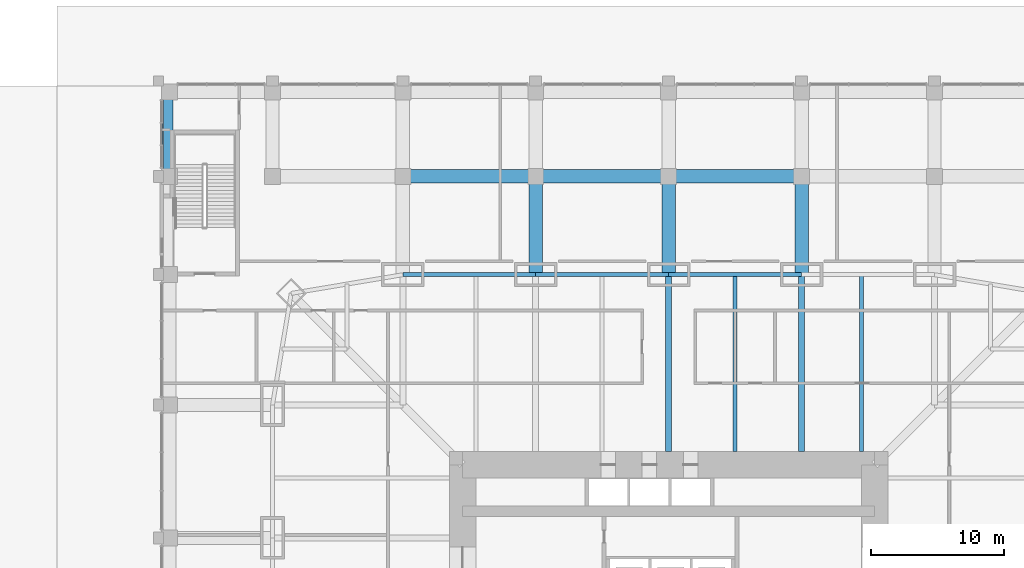
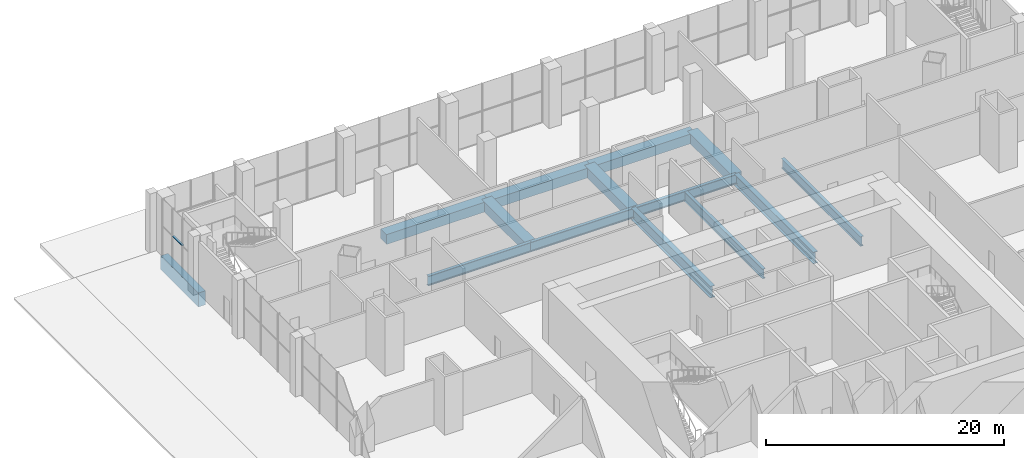
# One storey, part 12 of 31: 14 beams, 1 member, 1 element without a shape of its own.
"""IFC4 building model written with IfcOpenShell, lengths in metres."""

from ifc_helpers import new_model, si_unit, direction, frame, origin, origin_2d, place, context, subcontext, project, spatial, rectangle, i_section, extrude, material, material_profile, profile_set, type_object, element, aggregate, save


model = new_model("IFC4")

# Units and contexts
model_context = context("Model", 3, precision=1e-05, world=origin(), true_north=direction((0.0, 1.0)))
body_context = subcontext(model_context, "Body", "Model", "MODEL_VIEW")
ifc_project = project(units=[si_unit("LENGTHUNIT", "METRE"), si_unit("AREAUNIT", "SQUARE_METRE"), si_unit("VOLUMEUNIT", "CUBIC_METRE"), si_unit("PLANEANGLEUNIT", "RADIAN"), si_unit("MASSUNIT", "GRAM", prefix="KILO")], contexts=[model_context])

# Site, building, storey
site_placement = place(None, origin())
site = spatial("IfcSite", under=ifc_project, at=site_placement, CompositionType="ELEMENT")
building_placement = place(site_placement, origin())
building = spatial("IfcBuilding", under=site, at=building_placement, Name="Khuree Lantern Residences", CompositionType="ELEMENT")
storey_placement = place(building_placement, origin())
storey = spatial("IfcBuildingStorey", under=building, at=storey_placement, Name="L00", CompositionType="ELEMENT", Elevation=0.0)

# Beams
ifc_material_1 = material(Name="Steel S355", Category="steel")
ifc_material_profile_1 = material_profile(ifc_material_1, i_section(OverallWidth=0.300048828125, OverallDepth=1.0, WebThickness=0.01904296875, FlangeThickness=0.035888671875, FilletRadius=0.030029296875, at=origin_2d()), Name="HE 1000 B")
ifc_profile_set_1 = profile_set([ifc_material_profile_1], Name="Steel S355")
beam_type_1 = type_object("IfcBeamType", Name="B-00 SECONDARY BEAM HE 1000 B", PredefinedType="BEAM", material=ifc_profile_set_1)
for number, where, z_axis, x_axis, name in (
    (1, (5.0, 29.800048828125, -0.800048828125), (0.0, -1.0, 0.0), (1.0, 0.0, 0.0), "Secondary beam N3"),
    (2, (14.5, 29.800048828125, -0.800048828125), (0.0, -1.0, 0.0), (1.0, 0.0, 0.0), "Secondary beam N4"),
):
    element("IfcBeam", number, at=place(storey_placement, frame(where, z_axis=z_axis, x_axis=x_axis)), inside=storey, type_object=beam_type_1, Name=name, PredefinedType="BEAM", context=body_context, shape_type="SweptSolid", body=[
        extrude(i_section(OverallWidth=0.300048828125, OverallDepth=1.0, WebThickness=0.01904296875, FlangeThickness=0.035888671875, FilletRadius=0.030029296875, at=origin_2d()), origin(), (0.0, 0.0, 1.0), 13.300048828125),
    ])
ifc_material_profile_2 = material_profile(ifc_material_1, i_section(OverallWidth=0.300048828125, OverallDepth=1.0, WebThickness=0.01904296875, FlangeThickness=0.035888671875, FilletRadius=0.030029296875, at=origin_2d()), Name="HE 1000 B")
ifc_profile_set_2 = profile_set([ifc_material_profile_2], Name="Steel S355")
beam_type_2 = type_object("IfcBeamType", Name="E-00 SPANDREL BEAM HE 1000 B", PredefinedType="SPANDREL", material=ifc_profile_set_2)
for number, where, z_axis, x_axis, name in (
    (3, (-20.0, 29.800048828125, -0.800048828125), (1.0, 0.0, 0.0), (0.0, 1.0, 0.0), "Spandrel beam N1"),
    (4, (-10.0, 29.800048828125, -0.800048828125), (1.0, 0.0, 0.0), (0.0, 1.0, 0.0), "Spandrel beam N2"),
    (5, (0.0, 29.800048828125, -0.800048828125), (1.0, 0.0, 0.0), (0.0, 1.0, 0.0), "Spandrel beam N3"),
):
    element("IfcBeam", number, at=place(storey_placement, frame(where, z_axis=z_axis, x_axis=x_axis)), inside=storey, type_object=beam_type_2, Name=name, PredefinedType="SPANDREL", context=body_context, shape_type="SweptSolid", body=[
        extrude(i_section(OverallWidth=0.300048828125, OverallDepth=1.0, WebThickness=0.01904296875, FlangeThickness=0.035888671875, FilletRadius=0.030029296875, at=origin_2d()), origin(), (0.0, 0.0, 1.0), 10.0),
    ])
ifc_material_profile_3 = material_profile(ifc_material_1, i_section(OverallWidth=0.449951171875, OverallDepth=1.199951171875, WebThickness=0.02490234375, FlangeThickness=0.044921875, at=origin_2d()), Name="WELDED I 1200X450X25X45")
ifc_profile_set_3 = profile_set([ifc_material_profile_3], Name="Steel S355")
beam_type_3 = type_object("IfcBeamType", Name="G-00 GIRDER WELDED I 1200X450X25X45", PredefinedType="BEAM", material=ifc_profile_set_3)
for number, where, z_axis, x_axis, name in (
    (6, (0.0, 29.800048828125, -0.89990234375), (0.0, -1.0, 0.0), (1.0, 0.0, 0.0), "Girder N3"),
    (7, (10.0, 29.800048828125, -0.89990234375), (0.0, -1.0, 0.0), (1.0, 0.0, 0.0), "Girder N4"),
):
    element("IfcBeam", number, at=place(storey_placement, frame(where, z_axis=z_axis, x_axis=x_axis)), inside=storey, type_object=beam_type_3, Name=name, PredefinedType="BEAM", context=body_context, shape_type="SweptSolid", body=[
        extrude(i_section(OverallWidth=0.449951171875, OverallDepth=1.199951171875, WebThickness=0.02490234375, FlangeThickness=0.044921875, at=origin_2d()), origin(), (0.0, 0.0, 1.0), 13.300048828125),
    ])
ifc_material_2 = material(Name="Concrete C40/50", Category="concrete")
ifc_material_profile_4 = material_profile(ifc_material_2, rectangle(XDim=1.0, YDim=1.0, at=origin_2d()), Name="RC 1000X1000")
ifc_profile_set_4 = profile_set([ifc_material_profile_4], Name="Concrete C40/50")
beam_type_4 = type_object("IfcBeamType", Name="RB3 PODIUM BEAM RC 1000X1000", PredefinedType="BEAM", material=ifc_profile_set_4)
for number, where, z_axis, x_axis, name in (
    (8, (-20.0, 37.199951171875, -0.800048828125), (1.0, 0.0, 0.0), (0.0, 1.0, 0.0), "Podium beam RB-39"),
    (9, (-10.0, 37.199951171875, -0.800048828125), (1.0, 0.0, 0.0), (0.0, 1.0, 0.0), "Podium beam RB-40"),
    (10, (0.0, 37.199951171875, -0.800048828125), (1.0, 0.0, 0.0), (0.0, 1.0, 0.0), "Podium beam RB-41"),
):
    element("IfcBeam", number, at=place(storey_placement, frame(where, z_axis=z_axis, x_axis=x_axis)), inside=storey, type_object=beam_type_4, Name=name, PredefinedType="BEAM", context=body_context, shape_type="SweptSolid", body=[
        extrude(rectangle(XDim=1.0, YDim=1.0, at=origin_2d()), origin(), (0.0, 0.0, 1.0), 10.0),
    ])
for number, where, z_axis, x_axis, name in (
    (11, (-10.0, 29.800048828125, -0.800048828125), (0.0, 1.0, 0.0), (-1.0, 0.0, 0.0), "Podium beam RB-77"),
    (12, (0.0, 29.800048828125, -0.800048828125), (0.0, 1.0, 0.0), (-1.0, 0.0, 0.0), "Podium beam RB-83"),
    (13, (10.0, 29.800048828125, -0.800048828125), (0.0, 1.0, 0.0), (-1.0, 0.0, 0.0), "Podium beam RB-89"),
):
    element("IfcBeam", number, at=place(storey_placement, frame(where, z_axis=z_axis, x_axis=x_axis)), inside=storey, type_object=beam_type_4, Name=name, PredefinedType="BEAM", context=body_context, shape_type="SweptSolid", body=[
        extrude(rectangle(XDim=1.0, YDim=1.0, at=origin_2d()), origin(), (0.0, 0.0, 1.0), 7.39990234375),
    ])
ifc_material_profile_5 = material_profile(ifc_material_2, rectangle(XDim=0.699951171875, YDim=1.429931640625, at=origin_2d()), Name="RC 700X1430")
ifc_profile_set_5 = profile_set([ifc_material_profile_5], Name="Concrete C40/50")
beam_type_5 = type_object("IfcBeamType", Name="RB7 PODIUM BEAM AT STAIR RC 700X1430", PredefinedType="BEAM", material=ifc_profile_set_5)
beam_placement = place(storey_placement, frame((-37.64990234375, 37.199951171875, -1.014892578125), z_axis=(0.0, 1.0, 0.0), x_axis=(-1.0, 0.0, 0.0)))
element("IfcBeam", 14, at=beam_placement, inside=storey, type_object=beam_type_5, Name="Podium beam at stair RB-63", PredefinedType="BEAM", context=body_context, shape_type="SweptSolid", body=[
    extrude(rectangle(XDim=0.699951171875, YDim=1.429931640625, at=origin_2d()), origin(), (0.0, 0.0, 1.0), 6.35009765625),
])

# Curtain wall, member
ifc_material_3 = material(Name="Bronze anodised aluminium", Category="aluminium")
curtain_wall_type = type_object("IfcCurtainWallType", Name="CW-P PODIUM STOREFRONT CURTAIN WALL", PredefinedType="USERDEFINED", material=ifc_material_3)
curtain_wall_placement = place(storey_placement, origin())
curtain_wall = element("IfcCurtainWall", 15, at=curtain_wall_placement, inside=storey, type_object=curtain_wall_type, Name="L00 WEST FACE BAY 1 STOREFRONT", ObjectType="Storefront curtain wall", PredefinedType="USERDEFINED")
ifc_material_profile_6 = material_profile(ifc_material_3, rectangle(XDim=0.199951171875, YDim=0.074951171875, at=origin_2d()), Name="T5 200X75")
ifc_profile_set_6 = profile_set([ifc_material_profile_6], Name="Bronze anodised aluminium")
member_type = type_object("IfcMemberType", Name="TRANSOM T5 STOREFRONT 200X75", PredefinedType="USERDEFINED", material=ifc_profile_set_6)
member_placement = place(storey_placement, frame((-38.1201171875, 41.183349609375, 3.199951171875), z_axis=(0.0, -1.0, 0.0), x_axis=(1.0, 0.0, 0.0)))
member = element("IfcMember", 16, at=member_placement, type_object=member_type, Name="L00 WEST FACE BAY 1 TRANSOM 2", ObjectType="Transom", PredefinedType="USERDEFINED", context=body_context, shape_type="SweptSolid", body=[
    extrude(rectangle(XDim=0.199951171875, YDim=0.074951171875, at=origin_2d()), origin(), (0.0, 0.0, 1.0), 1.61669921875),
])
aggregate(curtain_wall, [member])

save(model, "model.ifc")
